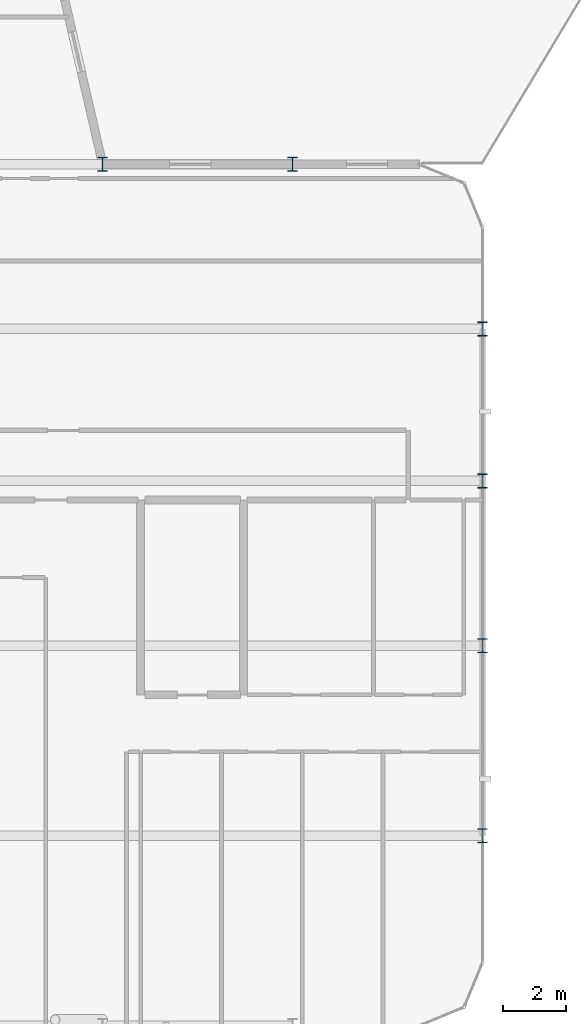
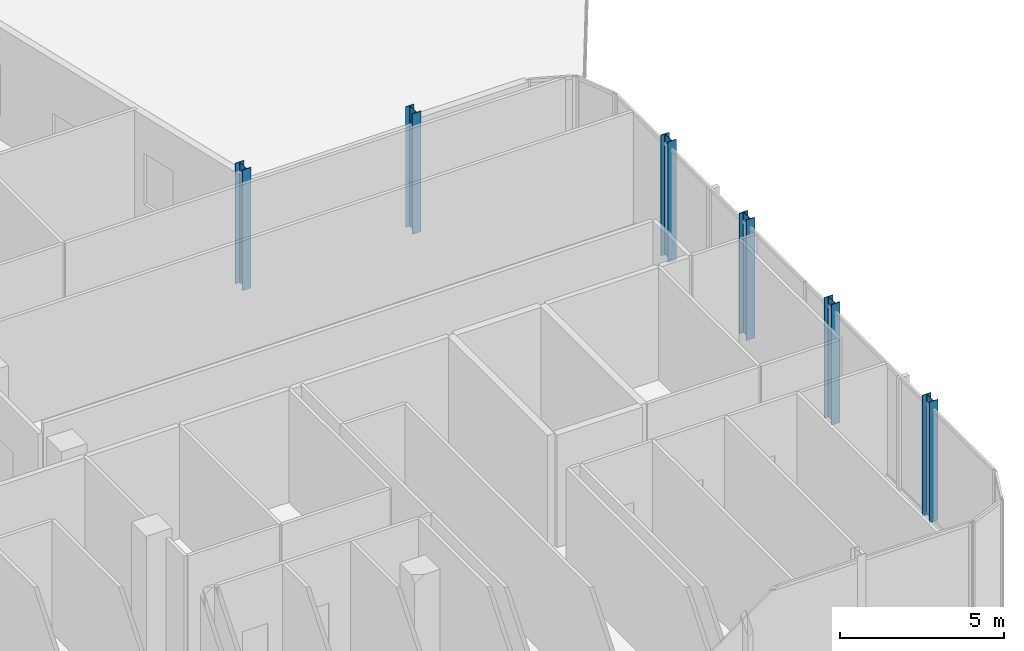
# One storey, part 2 of 28: 6 columns.
"""IFC4 building model written with IfcOpenShell, lengths in metres."""

from ifc_helpers import new_model, si_unit, direction, frame, origin, origin_2d, place, context, subcontext, project, spatial, i_section, extrude, material, material_profile, profile_set, type_object, element, save


model = new_model("IFC4")

# Units and contexts
model_context = context("Model", 3, precision=1e-05, world=origin(), true_north=direction((0.0, 1.0)))
body_context = subcontext(model_context, "Body", "Model", "MODEL_VIEW")
ifc_project = project(units=[si_unit("LENGTHUNIT", "METRE"), si_unit("AREAUNIT", "SQUARE_METRE"), si_unit("VOLUMEUNIT", "CUBIC_METRE"), si_unit("PLANEANGLEUNIT", "RADIAN"), si_unit("MASSUNIT", "GRAM", prefix="KILO")], contexts=[model_context])

# Site, building, storey
site_placement = place(None, origin())
site = spatial("IfcSite", under=ifc_project, at=site_placement, CompositionType="ELEMENT")
building_placement = place(site_placement, origin())
building = spatial("IfcBuilding", under=site, at=building_placement, Name="Keshet Zoharim Tower", CompositionType="ELEMENT")
storey_placement = place(building_placement, frame((0.0, 0.0, 164.60009765625)))
storey = spatial("IfcBuildingStorey", under=building, at=storey_placement, Name="L40", CompositionType="ELEMENT", Elevation=164.60009765625)

# Columns
ifc_material = material(Name="Steel S355", Category="steel")
ifc_material_profile = material_profile(ifc_material, i_section(OverallWidth=0.300048828125, OverallDepth=0.449951171875, WebThickness=0.013916015625, FlangeThickness=0.02587890625, FilletRadius=0.027099609375, at=origin_2d()), Name="HEB450")
ifc_profile_set = profile_set([ifc_material_profile], Name="Steel S355")
column_type = type_object("IfcColumnType", Name="COL-HEB450", PredefinedType="COLUMN", material=ifc_profile_set)
for number, where, z_axis, x_axis, name in (
    (1, (45.0, 27.89990234375, 0.0), (0.0, 0.0, 1.0), (1.0, 0.0, 0.0), "L40 Column 8F"),
    (2, (51.0, 27.89990234375, 0.0), (0.0, 0.0, 1.0), (1.0, 0.0, 0.0), "L40 Column 9F"),
    (3, (57.0, 6.699951171875, 0.0), (0.0, 0.0, 1.0), (1.0, 0.0, 0.0), "L40 Column 10B"),
    (4, (57.0, 12.699951171875, 0.0), (0.0, 0.0, 1.0), (1.0, 0.0, 0.0), "L40 Column 10C"),
    (5, (57.0, 17.89990234375, 0.0), (0.0, 0.0, 1.0), (1.0, 0.0, 0.0), "L40 Column 10D"),
    (6, (57.0, 22.699951171875, 0.0), (0.0, 0.0, 1.0), (1.0, 0.0, 0.0), "L40 Column 10E"),
):
    element("IfcColumn", number, at=place(storey_placement, frame(where, z_axis=z_axis, x_axis=x_axis)), inside=storey, type_object=column_type, Name=name, PredefinedType="COLUMN", context=body_context, shape_type="SweptSolid", body=[
        extrude(i_section(OverallWidth=0.300048828125, OverallDepth=0.449951171875, WebThickness=0.013916015625, FlangeThickness=0.02587890625, FilletRadius=0.027099609375, at=origin_2d()), origin(), (0.0, 0.0, 1.0), 4.5),
    ])

save(model, "model.ifc")
